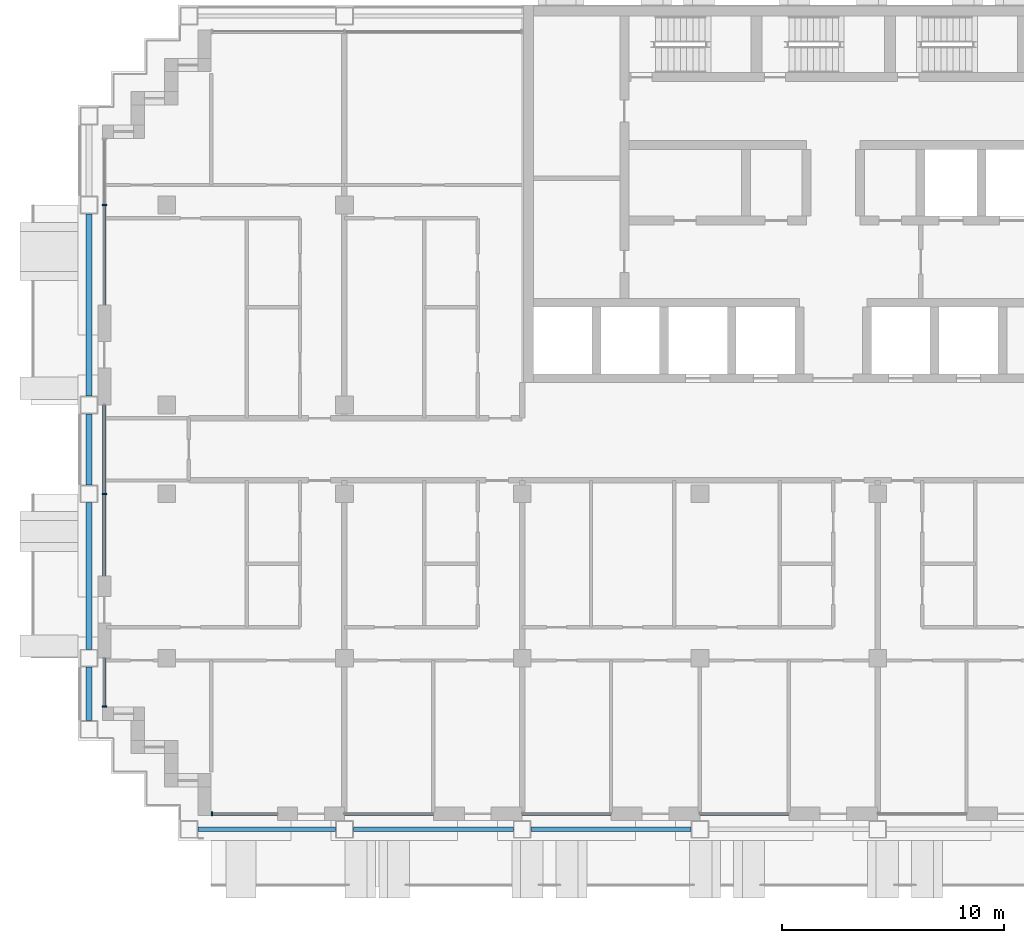
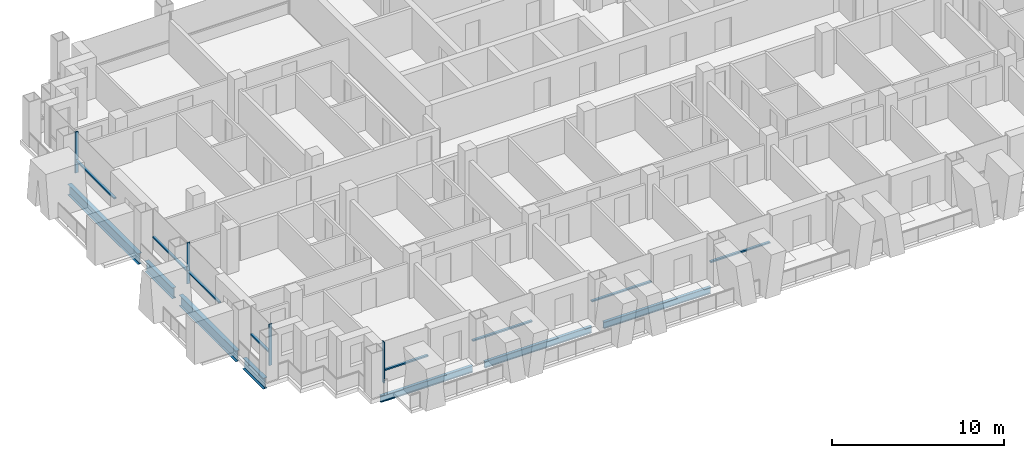
# One storey, part 2 of 18: 12 members, 7 beams, 7 elements without a shape of their own.
"""IFC4 building model written with IfcOpenShell, lengths in metres."""

from ifc_helpers import new_model, si_unit, direction, frame, origin, origin_2d, place, context, subcontext, project, spatial, rectangle, i_section, extrude, material, material_profile, profile_set, type_object, element, aggregate, save


model = new_model("IFC4")

# Units and contexts
model_context = context("Model", 3, precision=1e-05, world=origin(), true_north=direction((0.0, 1.0)))
body_context = subcontext(model_context, "Body", "Model", "MODEL_VIEW")
ifc_project = project(units=[si_unit("LENGTHUNIT", "METRE"), si_unit("AREAUNIT", "SQUARE_METRE"), si_unit("VOLUMEUNIT", "CUBIC_METRE"), si_unit("PLANEANGLEUNIT", "RADIAN"), si_unit("MASSUNIT", "GRAM", prefix="KILO")], contexts=[model_context])

# Site, building, storey
site_placement = place(None, origin())
site = spatial("IfcSite", under=ifc_project, at=site_placement, CompositionType="ELEMENT")
building_placement = place(site_placement, origin())
building = spatial("IfcBuilding", under=site, at=building_placement, Name="Vidyagriha Tower", CompositionType="ELEMENT")
storey_placement = place(building_placement, frame((0.0, 0.0, 126.199951171875)))
storey = spatial("IfcBuildingStorey", under=building, at=storey_placement, Name="L32", CompositionType="ELEMENT", Elevation=126.199951171875)

# Beams
ifc_material_1 = material(Name="Steel ASTM A992 Grade 50", Category="steel")
ifc_material_profile_1 = material_profile(ifc_material_1, i_section(OverallWidth=0.2666015625, OverallDepth=0.76953125, WebThickness=0.015625, FlangeThickness=0.025390625, at=origin_2d()), Name="W30X132")
ifc_profile_set_1 = profile_set([ifc_material_profile_1], Name="Steel ASTM A992 Grade 50")
beam_type_1 = type_object("IfcBeamType", Name="Cantilever edge beam W30X132", PredefinedType="SPANDREL", material=ifc_profile_set_1)
beam_1_placement = place(storey_placement, frame((-33.5, -12.199951171875, -0.664794921875), z_axis=(0.0, 1.0, 0.0), x_axis=(-1.0, 0.0, 0.0)))
element("IfcBeam", 1, at=beam_1_placement, inside=storey, type_object=beam_type_1, Name="st-beam-L32-W09", PredefinedType="SPANDREL", context=body_context, shape_type="SweptSolid", body=[
    extrude(i_section(OverallWidth=0.2666015625, OverallDepth=0.76953125, WebThickness=0.015625, FlangeThickness=0.025390625, at=origin_2d()), origin(), (0.0, 0.0, 1.0), 2.39990234375),
])
beam_2_placement = place(storey_placement, frame((-33.5, -9.0, -0.664794921875), z_axis=(0.0, 1.0, 0.0), x_axis=(-1.0, 0.0, 0.0)))
element("IfcBeam", 2, at=beam_2_placement, inside=storey, type_object=beam_type_1, Name="st-beam-L32-W10", PredefinedType="SPANDREL", context=body_context, shape_type="SweptSolid", body=[
    extrude(i_section(OverallWidth=0.2666015625, OverallDepth=0.76953125, WebThickness=0.015625, FlangeThickness=0.025390625, at=origin_2d()), origin(), (0.0, 0.0, 1.0), 6.60009765625),
])
beam_3_placement = place(storey_placement, frame((-33.5, -1.60009765625, -0.664794921875), z_axis=(0.0, 1.0, 0.0), x_axis=(-1.0, 0.0, 0.0)))
element("IfcBeam", 3, at=beam_3_placement, inside=storey, type_object=beam_type_1, Name="st-beam-L32-W11", PredefinedType="SPANDREL", context=body_context, shape_type="SweptSolid", body=[
    extrude(i_section(OverallWidth=0.2666015625, OverallDepth=0.76953125, WebThickness=0.015625, FlangeThickness=0.025390625, at=origin_2d()), origin(), (0.0, 0.0, 1.0), 3.2001953125),
])
beam_4_placement = place(storey_placement, frame((-33.5, 2.39990234375, -0.664794921875), z_axis=(0.0, 1.0, 0.0), x_axis=(-1.0, 0.0, 0.0)))
element("IfcBeam", 4, at=beam_4_placement, inside=storey, type_object=beam_type_1, Name="st-beam-L32-W12", PredefinedType="SPANDREL", context=body_context, shape_type="SweptSolid", body=[
    extrude(i_section(OverallWidth=0.2666015625, OverallDepth=0.76953125, WebThickness=0.015625, FlangeThickness=0.025390625, at=origin_2d()), origin(), (0.0, 0.0, 1.0), 8.2001953125),
])
ifc_material_2 = material(Name="Steel ASTM A992 Grade 50", Category="steel")
ifc_material_profile_2 = material_profile(ifc_material_2, i_section(OverallWidth=0.19189453125, OverallDepth=0.46240234375, WebThickness=0.010498046875, FlangeThickness=0.017578125, at=origin_2d()), Name="W18X60")
ifc_profile_set_2 = profile_set([ifc_material_profile_2], Name="Steel ASTM A992 Grade 50")
beam_type_2 = type_object("IfcBeamType", Name="Edge beam W18X60", PredefinedType="SPANDREL", material=ifc_profile_set_2)
beam_5_placement = place(storey_placement, frame((-28.60009765625, -17.10009765625, -0.510986328125), z_axis=(1.0, 0.0, 0.0), x_axis=(0.0, 1.0, 0.0)))
element("IfcBeam", 5, at=beam_5_placement, inside=storey, type_object=beam_type_2, Name="st-beam-L32-S01", PredefinedType="SPANDREL", context=body_context, shape_type="SweptSolid", body=[
    extrude(i_section(OverallWidth=0.19189453125, OverallDepth=0.46240234375, WebThickness=0.010498046875, FlangeThickness=0.017578125, at=origin_2d()), origin(), (0.0, 0.0, 1.0), 6.2001953125),
])
for number, where, z_axis, x_axis, name in (
    (6, (-21.60009765625, -17.10009765625, -0.510986328125), (1.0, 0.0, 0.0), (0.0, 1.0, 0.0), "st-beam-L32-S02"),
    (7, (-13.60009765625, -17.10009765625, -0.510986328125), (1.0, 0.0, 0.0), (0.0, 1.0, 0.0), "st-beam-L32-S03"),
):
    element("IfcBeam", number, at=place(storey_placement, frame(where, z_axis=z_axis, x_axis=x_axis)), inside=storey, type_object=beam_type_2, Name=name, PredefinedType="SPANDREL", context=body_context, shape_type="SweptSolid", body=[
        extrude(i_section(OverallWidth=0.19189453125, OverallDepth=0.46240234375, WebThickness=0.010498046875, FlangeThickness=0.017578125, at=origin_2d()), origin(), (0.0, 0.0, 1.0), 7.2001953125),
    ])

# Curtain wall, member
ifc_material_3 = material(Name="Aluminium and glass curtain wall", Category="aluminium")
curtain_wall_type = type_object("IfcCurtainWallType", Name="Dwelling skin unitised curtain wall", PredefinedType="USERDEFINED", material=ifc_material_3)
curtain_wall_1_placement = place(storey_placement, origin())
curtain_wall_1 = element("IfcCurtainWall", 8, at=curtain_wall_1_placement, inside=storey, type_object=curtain_wall_type, Name="CW1 dwelling skin", ObjectType="UNITISED", PredefinedType="USERDEFINED")
ifc_material_4 = material(Name="Aluminium black anodised", Category="aluminium")
ifc_material_profile_3 = material_profile(ifc_material_4, rectangle(XDim=0.199951171875, YDim=0.070068359375, at=origin_2d()), Name="Mullion 70x200 black aluminium")
ifc_profile_set_3 = profile_set([ifc_material_profile_3], Name="Aluminium black anodised")
member_type_1 = type_object("IfcMemberType", Name="Mullion 70x200 black aluminium", PredefinedType="MULLION", material=ifc_profile_set_3)
member_1_placement = place(storey_placement, frame((-32.800048828125, 11.0, 0.0)))
member_1 = element("IfcMember", 9, at=member_1_placement, type_object=member_type_1, Name="CW1 mullion 2", PredefinedType="MULLION", context=body_context, shape_type="SweptSolid", body=[
    extrude(rectangle(XDim=0.199951171875, YDim=0.070068359375, at=origin_2d()), origin(), (0.0, 0.0, 1.0), 2.920166015625),
])

curtain_wall_2_placement = place(storey_placement, origin())
curtain_wall_2 = element("IfcCurtainWall", 10, at=curtain_wall_2_placement, inside=storey, type_object=curtain_wall_type, Name="CW1 dwelling skin", ObjectType="UNITISED", PredefinedType="USERDEFINED")
member_2_placement = place(storey_placement, frame((-32.800048828125, -2.0, 0.0)))
member_2 = element("IfcMember", 11, at=member_2_placement, type_object=member_type_1, Name="CW1 mullion 2", PredefinedType="MULLION", context=body_context, shape_type="SweptSolid", body=[
    extrude(rectangle(XDim=0.199951171875, YDim=0.070068359375, at=origin_2d()), origin(), (0.0, 0.0, 1.0), 2.920166015625),
])

curtain_wall_3_placement = place(storey_placement, origin())
curtain_wall_3 = element("IfcCurtainWall", 12, at=curtain_wall_3_placement, inside=storey, type_object=curtain_wall_type, Name="CW1 dwelling skin", ObjectType="UNITISED", PredefinedType="USERDEFINED")
member_3_placement = place(storey_placement, frame((-32.800048828125, -11.56494140625, 0.0)))
member_3 = element("IfcMember", 13, at=member_3_placement, type_object=member_type_1, Name="CW1 mullion 2", PredefinedType="MULLION", context=body_context, shape_type="SweptSolid", body=[
    extrude(rectangle(XDim=0.199951171875, YDim=0.070068359375, at=origin_2d()), origin(), (0.0, 0.0, 1.0), 2.920166015625),
])

curtain_wall_4_placement = place(storey_placement, origin())
curtain_wall_4 = element("IfcCurtainWall", 14, at=curtain_wall_4_placement, inside=storey, type_object=curtain_wall_type, Name="CW1 dwelling skin", ObjectType="UNITISED", PredefinedType="USERDEFINED")
member_4_placement = place(storey_placement, frame((-27.965087890625, -16.39990234375, 0.0), z_axis=(0.0, 0.0, 1.0), x_axis=(0.0, 1.0, 0.0)))
member_4 = element("IfcMember", 15, at=member_4_placement, type_object=member_type_1, Name="CW1 mullion 1", PredefinedType="MULLION", context=body_context, shape_type="SweptSolid", body=[
    extrude(rectangle(XDim=0.199951171875, YDim=0.070068359375, at=origin_2d()), origin(), (0.0, 0.0, 1.0), 2.920166015625),
])

# Member
ifc_material_5 = material(Name="Aluminium black anodised", Category="aluminium")
ifc_material_profile_4 = material_profile(ifc_material_5, rectangle(XDim=0.159912109375, YDim=0.10009765625, at=origin_2d()), Name="Transom 100x160 black aluminium")
ifc_profile_set_4 = profile_set([ifc_material_profile_4], Name="Aluminium black anodised")
member_type_2 = type_object("IfcMemberType", Name="Transom 100x160 black aluminium", PredefinedType="USERDEFINED", material=ifc_profile_set_4)
member_5_placement = place(storey_placement, frame((-32.800048828125, 10.965087890625, 0.900146484375), z_axis=(0.0, -1.0, 0.0), x_axis=(1.0, 0.0, 0.0)))
member_5 = element("IfcMember", 16, at=member_5_placement, type_object=member_type_2, Name="CW1 transom 2.1", ObjectType="TRANSOM", PredefinedType="USERDEFINED", context=body_context, shape_type="SweptSolid", body=[
    extrude(rectangle(XDim=0.159912109375, YDim=0.10009765625, at=origin_2d()), origin(), (0.0, 0.0, 1.0), 4.465087890625),
])

aggregate(curtain_wall_1, [member_1, member_5])

member_6_placement = place(storey_placement, frame((-32.800048828125, 2.0, 0.900146484375), z_axis=(0.0, -1.0, 0.0), x_axis=(1.0, 0.0, 0.0)))
member_6 = element("IfcMember", 17, at=member_6_placement, type_object=member_type_2, Name="CW1 transom 1.1", ObjectType="TRANSOM", PredefinedType="USERDEFINED", context=body_context, shape_type="SweptSolid", body=[
    extrude(rectangle(XDim=0.159912109375, YDim=0.10009765625, at=origin_2d()), origin(), (0.0, 0.0, 1.0), 3.965087890625),
])

member_7_placement = place(storey_placement, frame((-32.800048828125, -2.034912109375, 0.900146484375), z_axis=(0.0, -1.0, 0.0), x_axis=(1.0, 0.0, 0.0)))
member_7 = element("IfcMember", 18, at=member_7_placement, type_object=member_type_2, Name="CW1 transom 2.1", ObjectType="TRANSOM", PredefinedType="USERDEFINED", context=body_context, shape_type="SweptSolid", body=[
    extrude(rectangle(XDim=0.159912109375, YDim=0.10009765625, at=origin_2d()), origin(), (0.0, 0.0, 1.0), 3.6650390625),
])

aggregate(curtain_wall_2, [member_2, member_6, member_7])

member_8_placement = place(storey_placement, frame((-32.800048828125, -9.39990234375, 0.900146484375), z_axis=(0.0, -1.0, 0.0), x_axis=(1.0, 0.0, 0.0)))
member_8 = element("IfcMember", 19, at=member_8_placement, type_object=member_type_2, Name="CW1 transom 1.1", ObjectType="TRANSOM", PredefinedType="USERDEFINED", context=body_context, shape_type="SweptSolid", body=[
    extrude(rectangle(XDim=0.159912109375, YDim=0.10009765625, at=origin_2d()), origin(), (0.0, 0.0, 1.0), 2.130126953125),
])

aggregate(curtain_wall_3, [member_3, member_8])

member_9_placement = place(storey_placement, frame((-27.929931640625, -16.39990234375, 0.900146484375), z_axis=(1.0, 0.0, 0.0), x_axis=(0.0, 1.0, 0.0)))
member_9 = element("IfcMember", 20, at=member_9_placement, type_object=member_type_2, Name="CW1 transom 1.1", ObjectType="TRANSOM", PredefinedType="USERDEFINED", context=body_context, shape_type="SweptSolid", body=[
    extrude(rectangle(XDim=0.159912109375, YDim=0.10009765625, at=origin_2d()), origin(), (0.0, 0.0, 1.0), 2.929931640625),
])

aggregate(curtain_wall_4, [member_4, member_9])

# Curtain wall, member
curtain_wall_5_placement = place(storey_placement, origin())
curtain_wall_5 = element("IfcCurtainWall", 21, at=curtain_wall_5_placement, inside=storey, type_object=curtain_wall_type, Name="CW1 dwelling skin", ObjectType="UNITISED", PredefinedType="USERDEFINED")
member_10_placement = place(storey_placement, frame((-22.0, -16.39990234375, 0.900146484375), z_axis=(1.0, 0.0, 0.0), x_axis=(0.0, 1.0, 0.0)))
member_10 = element("IfcMember", 22, at=member_10_placement, type_object=member_type_2, Name="CW1 transom 1.1", ObjectType="TRANSOM", PredefinedType="USERDEFINED", context=body_context, shape_type="SweptSolid", body=[
    extrude(rectangle(XDim=0.159912109375, YDim=0.10009765625, at=origin_2d()), origin(), (0.0, 0.0, 1.0), 4.0),
])
aggregate(curtain_wall_5, [member_10])

curtain_wall_6_placement = place(storey_placement, origin())
curtain_wall_6 = element("IfcCurtainWall", 23, at=curtain_wall_6_placement, inside=storey, type_object=curtain_wall_type, Name="CW1 dwelling skin", ObjectType="UNITISED", PredefinedType="USERDEFINED")
member_11_placement = place(storey_placement, frame((-14.0, -16.39990234375, 0.900146484375), z_axis=(1.0, 0.0, 0.0), x_axis=(0.0, 1.0, 0.0)))
member_11 = element("IfcMember", 24, at=member_11_placement, type_object=member_type_2, Name="CW1 transom 1.1", ObjectType="TRANSOM", PredefinedType="USERDEFINED", context=body_context, shape_type="SweptSolid", body=[
    extrude(rectangle(XDim=0.159912109375, YDim=0.10009765625, at=origin_2d()), origin(), (0.0, 0.0, 1.0), 4.0),
])
aggregate(curtain_wall_6, [member_11])

curtain_wall_7_placement = place(storey_placement, origin())
curtain_wall_7 = element("IfcCurtainWall", 25, at=curtain_wall_7_placement, inside=storey, type_object=curtain_wall_type, Name="CW1 dwelling skin", ObjectType="UNITISED", PredefinedType="USERDEFINED")
member_12_placement = place(storey_placement, frame((-6.0, -16.39990234375, 0.900146484375), z_axis=(1.0, 0.0, 0.0), x_axis=(0.0, 1.0, 0.0)))
member_12 = element("IfcMember", 26, at=member_12_placement, type_object=member_type_2, Name="CW1 transom 1.1", ObjectType="TRANSOM", PredefinedType="USERDEFINED", context=body_context, shape_type="SweptSolid", body=[
    extrude(rectangle(XDim=0.159912109375, YDim=0.10009765625, at=origin_2d()), origin(), (0.0, 0.0, 1.0), 4.0),
])
aggregate(curtain_wall_7, [member_12])

save(model, "model.ifc")
